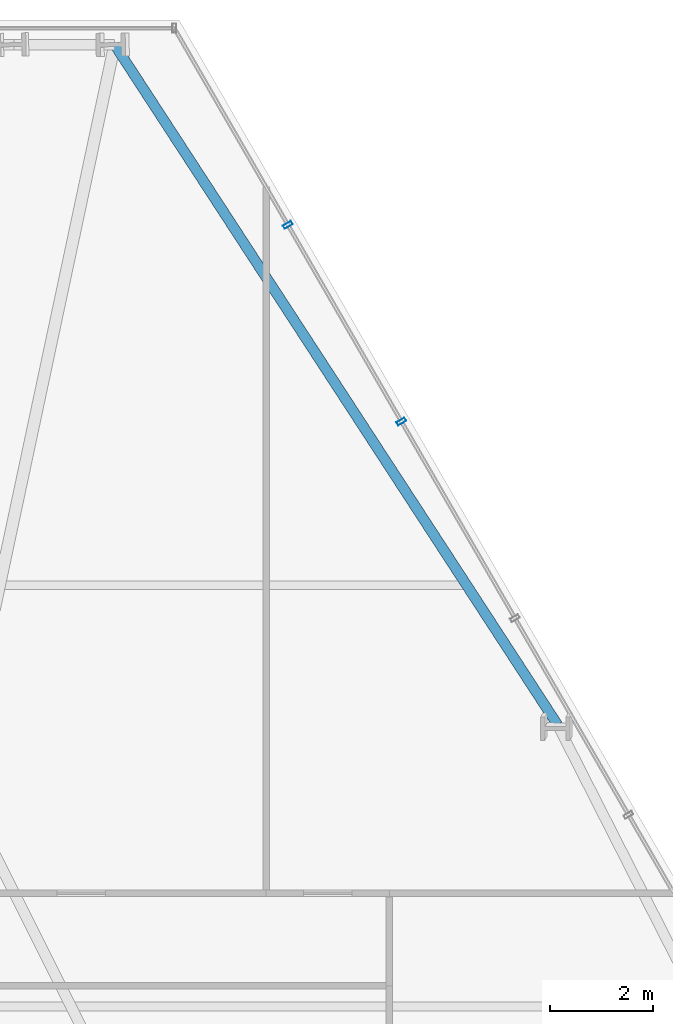
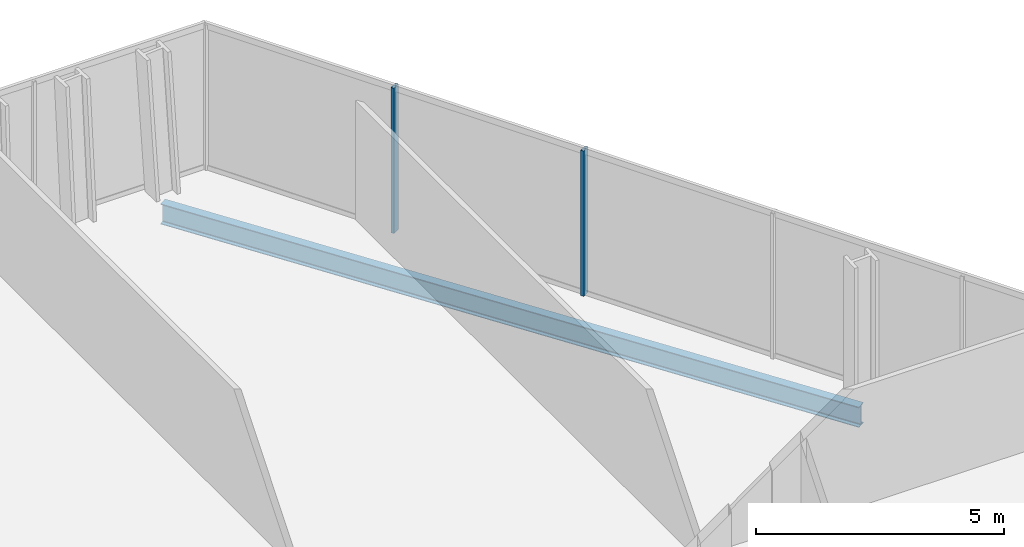
# One storey, part 25 of 32: 2 members, 1 beam, 1 element without a shape of its own.
"""IFC4 building model written with IfcOpenShell, lengths in metres."""

from ifc_helpers import new_model, si_unit, direction, frame, origin, origin_2d, place, context, subcontext, project, spatial, hollow_rectangle, i_section, extrude, material, layer, layer_set, material_profile, profile_set, type_object, element, aggregate, save


model = new_model("IFC4")

# Units and contexts
model_context = context("Model", 3, precision=1e-05, world=origin(), true_north=direction((0.0, 1.0)))
body_context = subcontext(model_context, "Body", "Model", "MODEL_VIEW")
ifc_project = project(units=[si_unit("LENGTHUNIT", "METRE"), si_unit("AREAUNIT", "SQUARE_METRE"), si_unit("VOLUMEUNIT", "CUBIC_METRE"), si_unit("PLANEANGLEUNIT", "RADIAN"), si_unit("MASSUNIT", "GRAM", prefix="KILO")], contexts=[model_context])

# Site, building, storey
site_placement = place(None, origin())
site = spatial("IfcSite", under=ifc_project, at=site_placement, CompositionType="ELEMENT")
building_placement = place(site_placement, origin())
building = spatial("IfcBuilding", under=site, at=building_placement, Name="Ndaravel Arena Tower", CompositionType="ELEMENT")
storey_placement = place(building_placement, frame((0.0, 0.0, 55.0)))
storey = spatial("IfcBuildingStorey", under=building, at=storey_placement, Name="L11", CompositionType="ELEMENT", Elevation=55.0)

# Beam
ifc_material_1 = material(Name="Steel S355", Category="steel")
ifc_material_profile_1 = material_profile(ifc_material_1, i_section(OverallWidth=0.199951171875, OverallDepth=0.5, WebThickness=0.01025390625, FlangeThickness=0.01611328125, FilletRadius=0.02099609375, at=origin_2d()), Name="IPE 500")
ifc_profile_set_1 = profile_set([ifc_material_profile_1], Name="Steel S355")
beam_type = type_object("IfcBeamType", Name="BM-SPAN-IPE500", PredefinedType="SPANDREL", material=ifc_profile_set_1)
beam_placement = place(storey_placement, frame((57.476318359375, 32.285400390625, -0.469970703125), z_axis=(-0.545711257889, 0.837973282995, 0.0), x_axis=(-0.837973282995, -0.545711257889, 0.0)))
element("IfcBeam", 1, at=beam_placement, inside=storey, type_object=beam_type, Name="L11 Perimeter Spandrel Beam SP-10", PredefinedType="SPANDREL", context=body_context, shape_type="SweptSolid", body=[
    extrude(i_section(OverallWidth=0.199951171875, OverallDepth=0.5, WebThickness=0.01025390625, FlangeThickness=0.01611328125, FilletRadius=0.02099609375, at=origin_2d()), origin(), (0.0, 0.0, 1.0), 15.807373046875),
])

# Curtain wall, members
ifc_material_2 = material(Name="Aluminium", Category="aluminium")
ifc_layer = layer(ifc_material_2, 0.179931640625)
ifc_layer_set = layer_set([ifc_layer], Name="Aluminium")
curtain_wall_type = type_object("IfcCurtainWallType", Name="CW-SYS-03", PredefinedType="NOTDEFINED", material=ifc_layer_set)
curtain_wall_placement = place(storey_placement, origin())
curtain_wall = element("IfcCurtainWall", 2, at=curtain_wall_placement, inside=storey, type_object=curtain_wall_type, Name="L11 Faceted Crystal Curtain Wall CW-L11-E03", PredefinedType="NOTDEFINED")
ifc_material_3 = material(Name="Aluminium", Category="aluminium")
ifc_material_profile_2 = material_profile(ifc_material_3, hollow_rectangle(XDim=0.074951171875, YDim=0.179931640625, WallThickness=0.00390625, at=origin_2d()), Name="CW MULLION 75x180x4")
ifc_profile_set_2 = profile_set([ifc_material_profile_2], Name="Aluminium")
member_type = type_object("IfcMemberType", Name="MEM-CW-MUL180", PredefinedType="MULLION", material=ifc_profile_set_2)
member_1_placement = place(storey_placement, frame((54.43603515625, 38.19091796875, 0.0), z_axis=(0.0, 0.0, 1.0), x_axis=(-0.5, 0.866025403784, 0.0)))
member_1 = element("IfcMember", 3, at=member_1_placement, type_object=member_type, Name="CW-L11-E03 Mullion 05", PredefinedType="MULLION", context=body_context, shape_type="SweptSolid", body=[
    extrude(hollow_rectangle(XDim=0.074951171875, YDim=0.179931640625, WallThickness=0.00390625, at=origin_2d()), origin(), (0.0, 0.0, 1.0), 3.580078125),
])
member_2_placement = place(storey_placement, frame((52.224609375, 42.02099609375, 0.0), z_axis=(0.0, 0.0, 1.0), x_axis=(-0.5, 0.866025403784, 0.0)))
member_2 = element("IfcMember", 4, at=member_2_placement, type_object=member_type, Name="CW-L11-E03 Mullion 06", PredefinedType="MULLION", context=body_context, shape_type="SweptSolid", body=[
    extrude(hollow_rectangle(XDim=0.074951171875, YDim=0.179931640625, WallThickness=0.00390625, at=origin_2d()), origin(), (0.0, 0.0, 1.0), 3.580078125),
])
aggregate(curtain_wall, [member_1, member_2])

save(model, "model.ifc")
